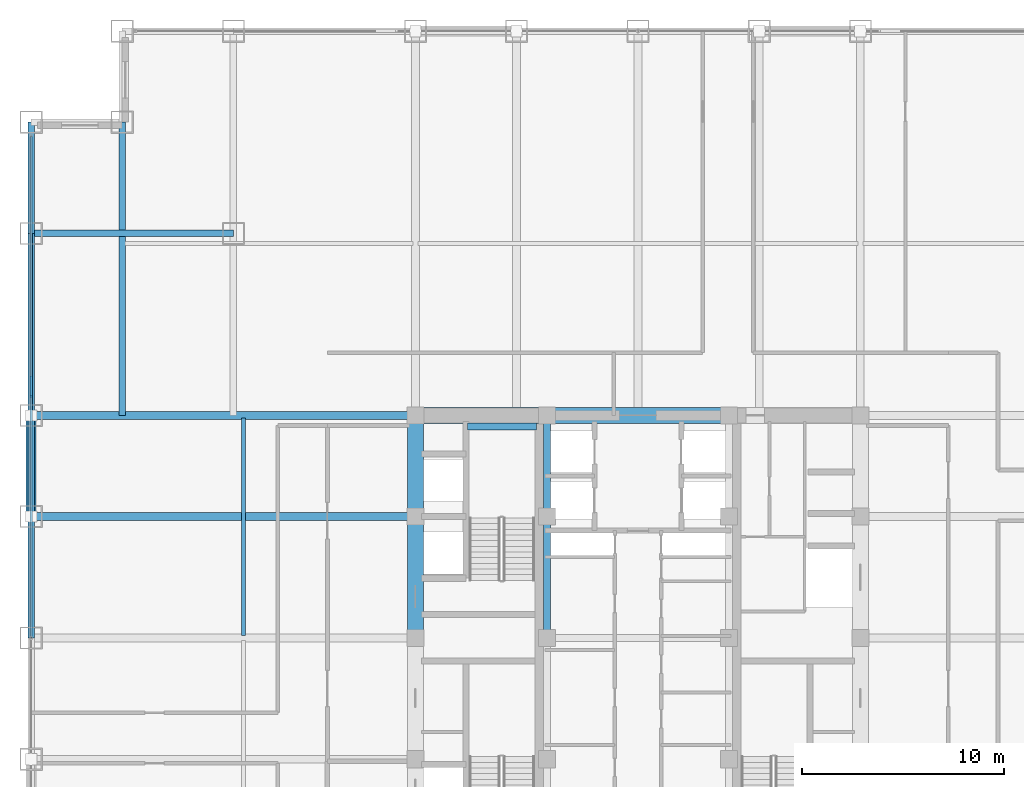
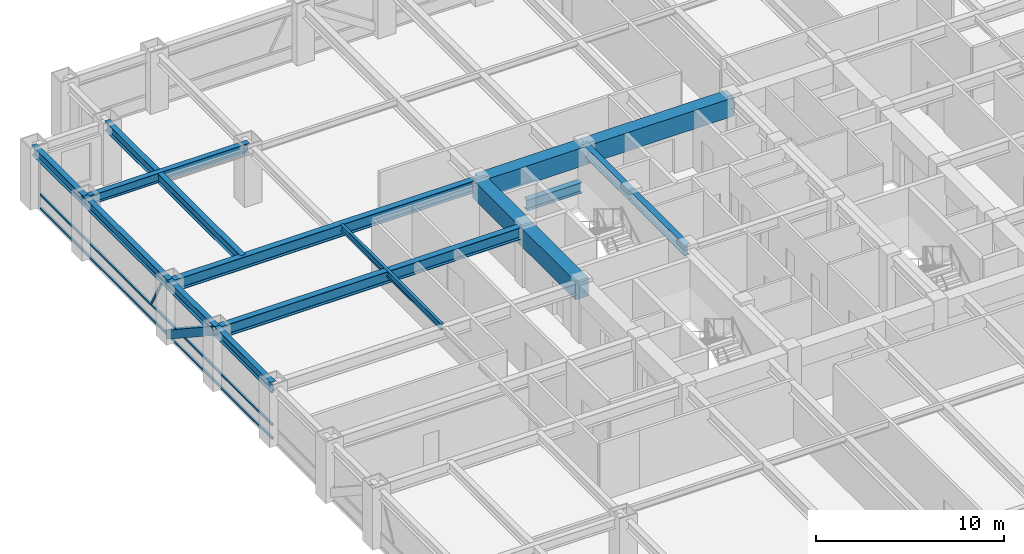
# One storey, part 11 of 24: 16 beams, 5 members, 1 element without a shape of its own.
"""IFC4 building model written with IfcOpenShell, lengths in metres."""

from ifc_helpers import new_model, si_unit, direction, frame, origin, origin_2d, place, context, subcontext, project, spatial, rectangle, hollow_rectangle, i_section, extrude, source, transform, mapped, material, material_profile, profile_set, type_object, element, aggregate, save


model = new_model("IFC4")

# Units and contexts
model_context = context("Model", 3, precision=1e-05, world=origin(), true_north=direction((0.0, 1.0)))
body_context = subcontext(model_context, "Body", "Model", "MODEL_VIEW")
ifc_project = project(units=[si_unit("LENGTHUNIT", "METRE"), si_unit("AREAUNIT", "SQUARE_METRE"), si_unit("VOLUMEUNIT", "CUBIC_METRE"), si_unit("PLANEANGLEUNIT", "RADIAN"), si_unit("MASSUNIT", "GRAM", prefix="KILO")], contexts=[model_context])

# Site, building, storey
site_placement = place(None, origin())
site = spatial("IfcSite", under=ifc_project, at=site_placement, CompositionType="ELEMENT")
building_placement = place(site_placement, origin())
building = spatial("IfcBuilding", under=site, at=building_placement, Name="Khorayat Bourse Tower", CompositionType="ELEMENT")
storey_placement = place(building_placement, frame((0.0, 0.0, 163.10009765625)))
storey = spatial("IfcBuildingStorey", under=building, at=storey_placement, Name="L37", CompositionType="ELEMENT", Elevation=163.10009765625)

# Beams
ifc_material_1 = material(Name="Concrete C72/90", Category="concrete")
ifc_material_profile_1 = material_profile(ifc_material_1, rectangle(XDim=0.800048828125, YDim=1.199951171875, at=origin_2d()), Name="RC 800x1200")
ifc_profile_set_1 = profile_set([ifc_material_profile_1], Name="Concrete C72/90")
beam_type_1 = type_object("IfcBeamType", Name="BM-COUP-1200", PredefinedType="BEAM", material=ifc_profile_set_1)
shared_shape_1 = source(origin(), body_context, "Body", "SweptSolid", [
    extrude(rectangle(XDim=0.800048828125, YDim=1.199951171875, at=origin_2d()), origin(), (0.0, 0.0, 1.0), 5.0),
])
beam_1_placement = place(storey_placement, frame((-11.0, 6.0, 3.179931640625), z_axis=(0.0, 1.0, 0.0), x_axis=(-1.0, 0.0, 0.0)))
element("IfcBeam", 1, at=beam_1_placement, inside=storey, type_object=beam_type_1, Name="L37 BM-COUP-1200 BM-L37-CRX-04", PredefinedType="BEAM", context=body_context, shape_type="MappedRepresentation", body=[
    mapped(shared_shape_1, transform((0.0, 0.0, 0.0), scale=1.0)),
])
shared_shape_2 = source(origin(), body_context, "Body", "SweptSolid", [
    extrude(rectangle(XDim=0.800048828125, YDim=1.199951171875, at=origin_2d()), origin(), (0.0, 0.0, 1.0), 6.0),
])
beam_2_placement = place(storey_placement, frame((-11.0, 0.0, 3.179931640625), z_axis=(0.0, 1.0, 0.0), x_axis=(-1.0, 0.0, 0.0)))
element("IfcBeam", 2, at=beam_2_placement, inside=storey, type_object=beam_type_1, Name="L37 BM-COUP-1200 BM-L37-CRX-03", PredefinedType="BEAM", context=body_context, shape_type="MappedRepresentation", body=[
    mapped(shared_shape_2, transform((0.0, 0.0, 0.0), scale=1.0)),
])
ifc_material_2 = material(Name="Steel ASTM A992 Grade 50", Category="steel")
ifc_material_profile_2 = material_profile(ifc_material_2, i_section(OverallWidth=0.35498046875, OverallDepth=0.695068359375, WebThickness=0.015380859375, FlangeThickness=0.02490234375, FilletRadius=0.01806640625, at=origin_2d()), Name="W690X217")
ifc_profile_set_2 = profile_set([ifc_material_profile_2], Name="Steel ASTM A992 Grade 50")
beam_type_2 = type_object("IfcBeamType", Name="BM-GIRD-690", PredefinedType="BEAM", material=ifc_profile_set_2)
shared_shape_3 = source(origin(), body_context, "Body", "SweptSolid", [
    extrude(i_section(OverallWidth=0.35498046875, OverallDepth=0.695068359375, WebThickness=0.015380859375, FlangeThickness=0.02490234375, FilletRadius=0.01806640625, at=origin_2d()), origin(), (0.0, 0.0, 1.0), 5.0),
])
beam_3_placement = place(storey_placement, frame((-4.5, 6.0, 3.432373046875), z_axis=(0.0, 1.0, 0.0), x_axis=(-1.0, 0.0, 0.0)))
element("IfcBeam", 3, at=beam_3_placement, inside=storey, type_object=beam_type_2, Name="L37 BM-GIRD-690 BM-L37-CRX-08", PredefinedType="BEAM", context=body_context, shape_type="MappedRepresentation", body=[
    mapped(shared_shape_3, transform((0.0, 0.0, 0.0), scale=1.0)),
])
shared_shape_4 = source(origin(), body_context, "Body", "SweptSolid", [
    extrude(i_section(OverallWidth=0.35498046875, OverallDepth=0.695068359375, WebThickness=0.015380859375, FlangeThickness=0.02490234375, FilletRadius=0.01806640625, at=origin_2d()), origin(), (0.0, 0.0, 1.0), 6.0),
])
beam_4_placement = place(storey_placement, frame((-4.5, 0.0, 3.432373046875), z_axis=(0.0, 1.0, 0.0), x_axis=(-1.0, 0.0, 0.0)))
element("IfcBeam", 4, at=beam_4_placement, inside=storey, type_object=beam_type_2, Name="L37 BM-GIRD-690 BM-L37-CRX-07", PredefinedType="BEAM", context=body_context, shape_type="MappedRepresentation", body=[
    mapped(shared_shape_4, transform((0.0, 0.0, 0.0), scale=1.0)),
])
shared_shape_5 = source(origin(), body_context, "Body", "SweptSolid", [
    extrude(rectangle(XDim=0.800048828125, YDim=1.199951171875, at=origin_2d()), origin(), (0.0, 0.0, 1.0), 6.5),
])
beam_5_placement = place(storey_placement, frame((-11.0, 11.0, 3.179931640625), z_axis=(1.0, 0.0, 0.0), x_axis=(0.0, 1.0, 0.0)))
element("IfcBeam", 5, at=beam_5_placement, inside=storey, type_object=beam_type_1, Name="L37 BM-COUP-1200 BM-L37-CRY-20", PredefinedType="BEAM", context=body_context, shape_type="MappedRepresentation", body=[
    mapped(shared_shape_5, transform((0.0, 0.0, 0.0), scale=1.0)),
])
shared_shape_6 = source(origin(), body_context, "Body", "SweptSolid", [
    extrude(rectangle(XDim=0.800048828125, YDim=1.199951171875, at=origin_2d()), origin(), (0.0, 0.0, 1.0), 9.0),
])
beam_6_placement = place(storey_placement, frame((-4.5, 11.0, 3.179931640625), z_axis=(1.0, 0.0, 0.0), x_axis=(0.0, 1.0, 0.0)))
element("IfcBeam", 6, at=beam_6_placement, inside=storey, type_object=beam_type_1, Name="L37 BM-COUP-1200 BM-L37-CRY-21", PredefinedType="BEAM", context=body_context, shape_type="MappedRepresentation", body=[
    mapped(shared_shape_6, transform((0.0, 0.0, 0.0), scale=1.0)),
])
shared_shape_7 = source(origin(), body_context, "Body", "SweptSolid", [
    extrude(i_section(OverallWidth=0.35498046875, OverallDepth=0.695068359375, WebThickness=0.015380859375, FlangeThickness=0.02490234375, FilletRadius=0.01806640625, at=origin_2d()), origin(), (0.0, 0.0, 1.0), 3.39990234375),
])
beam_7_placement = place(storey_placement, frame((-8.419921875, 10.449951171875, 1.452392578125), z_axis=(1.0, 0.0, 0.0), x_axis=(0.0, 1.0, 0.0)))
element("IfcBeam", 7, at=beam_7_placement, inside=storey, type_object=beam_type_2, Name="L37 BM-GIRD-690 BM-L37-ST2L", PredefinedType="BEAM", context=body_context, shape_type="MappedRepresentation", body=[
    mapped(shared_shape_7, transform((0.0, 0.0, 0.0), scale=1.0)),
])
ifc_material_profile_3 = material_profile(ifc_material_2, i_section(OverallWidth=0.381103515625, OverallDepth=0.77294921875, WebThickness=0.0166015625, FlangeThickness=0.027587890625, FilletRadius=0.01806640625, at=origin_2d()), Name="W760X257")
ifc_profile_set_3 = profile_set([ifc_material_profile_3], Name="Steel ASTM A992 Grade 50")
beam_type_3 = type_object("IfcBeamType", Name="BM-GIRD-760", PredefinedType="BEAM", material=ifc_profile_set_3)
shared_shape_8 = source(origin(), body_context, "Body", "SweptSolid", [
    extrude(i_section(OverallWidth=0.381103515625, OverallDepth=0.77294921875, WebThickness=0.0166015625, FlangeThickness=0.027587890625, FilletRadius=0.01806640625, at=origin_2d()), origin(), (0.0, 0.0, 1.0), 19.0),
])
for number, where, z_axis, x_axis, name in (
    (8, (-30.0, 6.0, 3.393310546875), (1.0, 0.0, 0.0), (0.0, 1.0, 0.0), "L37 BM-GIRD-760 BM-L37-RADX-081"),
    (9, (-30.0, 11.0, 3.393310546875), (1.0, 0.0, 0.0), (0.0, 1.0, 0.0), "L37 BM-GIRD-760 BM-L37-RADX-083"),
):
    element("IfcBeam", number, at=place(storey_placement, frame(where, z_axis=z_axis, x_axis=x_axis)), inside=storey, type_object=beam_type_3, Name=name, PredefinedType="BEAM", context=body_context, shape_type="MappedRepresentation", body=[
        mapped(shared_shape_8, transform((0.0, 0.0, 0.0), scale=1.0)),
    ])
ifc_material_profile_4 = material_profile(ifc_material_2, i_section(OverallWidth=0.324951171875, OverallDepth=0.615966796875, WebThickness=0.013916015625, FlangeThickness=0.021484375, FilletRadius=0.01611328125, at=origin_2d()), Name="W610X174")
ifc_profile_set_4 = profile_set([ifc_material_profile_4], Name="Steel ASTM A992 Grade 50")
beam_type_4 = type_object("IfcBeamType", Name="BM-GIRD-610", PredefinedType="BEAM", material=ifc_profile_set_4)
shared_shape_9 = source(origin(), body_context, "Body", "SweptSolid", [
    extrude(i_section(OverallWidth=0.324951171875, OverallDepth=0.615966796875, WebThickness=0.013916015625, FlangeThickness=0.021484375, FilletRadius=0.01611328125, at=origin_2d()), origin(), (0.0, 0.0, 1.0), 14.5),
])
beam_8_placement = place(storey_placement, frame((-25.5, 11.0, 3.471923828125), z_axis=(0.0, 1.0, 0.0), x_axis=(-1.0, 0.0, 0.0)))
element("IfcBeam", 10, at=beam_8_placement, inside=storey, type_object=beam_type_4, Name="L37 BM-GIRD-610 BM-L37-CNRY-089", PredefinedType="BEAM", context=body_context, shape_type="MappedRepresentation", body=[
    mapped(shared_shape_9, transform((0.0, 0.0, 0.0), scale=1.0)),
])
shared_shape_10 = source(origin(), body_context, "Body", "SweptSolid", [
    extrude(i_section(OverallWidth=0.324951171875, OverallDepth=0.615966796875, WebThickness=0.013916015625, FlangeThickness=0.021484375, FilletRadius=0.01611328125, at=origin_2d()), origin(), (0.0, 0.0, 1.0), 10.0),
])
beam_9_placement = place(storey_placement, frame((-30.0, 20.0, 3.471923828125), z_axis=(1.0, 0.0, 0.0), x_axis=(0.0, 1.0, 0.0)))
element("IfcBeam", 11, at=beam_9_placement, inside=storey, type_object=beam_type_4, Name="L37 BM-GIRD-610 BM-L37-CNRX-095", PredefinedType="BEAM", context=body_context, shape_type="MappedRepresentation", body=[
    mapped(shared_shape_10, transform((0.0, 0.0, 0.0), scale=1.0)),
])
ifc_material_profile_5 = material_profile(ifc_material_2, i_section(OverallWidth=0.180908203125, OverallDepth=0.4169921875, WebThickness=0.010986328125, FlangeThickness=0.018310546875, FilletRadius=0.011962890625, at=origin_2d()), Name="W410X85")
ifc_profile_set_5 = profile_set([ifc_material_profile_5], Name="Steel ASTM A992 Grade 50")
beam_type_5 = type_object("IfcBeamType", Name="BM-JOIST-410", PredefinedType="JOIST", material=ifc_profile_set_5)
shared_shape_11 = source(origin(), body_context, "Body", "SweptSolid", [
    extrude(i_section(OverallWidth=0.180908203125, OverallDepth=0.4169921875, WebThickness=0.010986328125, FlangeThickness=0.018310546875, FilletRadius=0.011962890625, at=origin_2d()), origin(), (0.0, 0.0, 1.0), 10.740234375),
])
beam_10_placement = place(storey_placement, frame((-19.5, 0.1298828125, 3.5712890625), z_axis=(0.0, 1.0, 0.0), x_axis=(-1.0, 0.0, 0.0)))
element("IfcBeam", 12, at=beam_10_placement, inside=storey, type_object=beam_type_5, Name="L37 BM-JOIST-410 BM-L37-JSTY-103", PredefinedType="JOIST", context=body_context, shape_type="MappedRepresentation", body=[
    mapped(shared_shape_11, transform((0.0, 0.0, 0.0), scale=1.0)),
])
ifc_material_profile_6 = material_profile(ifc_material_2, i_section(OverallWidth=0.324951171875, OverallDepth=0.615966796875, WebThickness=0.013916015625, FlangeThickness=0.021484375, FilletRadius=0.01611328125, at=origin_2d()), Name="W610X174")
ifc_profile_set_6 = profile_set([ifc_material_profile_6], Name="Steel ASTM A992 Grade 50")
beam_type_6 = type_object("IfcBeamType", Name="BM-SPAN-610", PredefinedType="SPANDREL", material=ifc_profile_set_6)
shared_shape_12 = source(origin(), body_context, "Body", "SweptSolid", [
    extrude(i_section(OverallWidth=0.324951171875, OverallDepth=0.615966796875, WebThickness=0.013916015625, FlangeThickness=0.021484375, FilletRadius=0.01611328125, at=origin_2d()), origin(), (0.0, 0.0, 1.0), 5.5),
])
beam_11_placement = place(storey_placement, frame((-30.0, 20.0, 3.471923828125), z_axis=(0.0, 1.0, 0.0), x_axis=(-1.0, 0.0, 0.0)))
element("IfcBeam", 13, at=beam_11_placement, inside=storey, type_object=beam_type_6, Name="L37 BM-SPAN-610 BM-L37-SPN-054", PredefinedType="SPANDREL", context=body_context, shape_type="MappedRepresentation", body=[
    mapped(shared_shape_12, transform((0.0, 0.0, 0.0), scale=1.0)),
])
shared_shape_13 = source(origin(), body_context, "Body", "SweptSolid", [
    extrude(i_section(OverallWidth=0.324951171875, OverallDepth=0.615966796875, WebThickness=0.013916015625, FlangeThickness=0.021484375, FilletRadius=0.01611328125, at=origin_2d()), origin(), (0.0, 0.0, 1.0), 9.0),
])
beam_12_placement = place(storey_placement, frame((-30.0, 11.0, 3.471923828125), z_axis=(0.0, 1.0, 0.0), x_axis=(-1.0, 0.0, 0.0)))
element("IfcBeam", 14, at=beam_12_placement, inside=storey, type_object=beam_type_6, Name="L37 BM-SPAN-610 BM-L37-SPN-055", PredefinedType="SPANDREL", context=body_context, shape_type="MappedRepresentation", body=[
    mapped(shared_shape_13, transform((0.0, 0.0, 0.0), scale=1.0)),
])
shared_shape_14 = source(origin(), body_context, "Body", "SweptSolid", [
    extrude(i_section(OverallWidth=0.324951171875, OverallDepth=0.615966796875, WebThickness=0.013916015625, FlangeThickness=0.021484375, FilletRadius=0.01611328125, at=origin_2d()), origin(), (0.0, 0.0, 1.0), 5.0),
])
beam_13_placement = place(storey_placement, frame((-30.0, 6.0, 3.471923828125), z_axis=(0.0, 1.0, 0.0), x_axis=(-1.0, 0.0, 0.0)))
element("IfcBeam", 15, at=beam_13_placement, inside=storey, type_object=beam_type_6, Name="L37 BM-SPAN-610 BM-L37-SPN-056", PredefinedType="SPANDREL", context=body_context, shape_type="MappedRepresentation", body=[
    mapped(shared_shape_14, transform((0.0, 0.0, 0.0), scale=1.0)),
])
shared_shape_15 = source(origin(), body_context, "Body", "SweptSolid", [
    extrude(i_section(OverallWidth=0.324951171875, OverallDepth=0.615966796875, WebThickness=0.013916015625, FlangeThickness=0.021484375, FilletRadius=0.01611328125, at=origin_2d()), origin(), (0.0, 0.0, 1.0), 6.0),
])
beam_14_placement = place(storey_placement, frame((-30.0, 0.0, 3.471923828125), z_axis=(0.0, 1.0, 0.0), x_axis=(-1.0, 0.0, 0.0)))
element("IfcBeam", 16, at=beam_14_placement, inside=storey, type_object=beam_type_6, Name="L37 BM-SPAN-610 BM-L37-SPN-057", PredefinedType="SPANDREL", context=body_context, shape_type="MappedRepresentation", body=[
    mapped(shared_shape_15, transform((0.0, 0.0, 0.0), scale=1.0)),
])

# Member
ifc_material_3 = material(Name="Steel EN 10025-4 S460M", Category="steel")
ifc_material_profile_7 = material_profile(ifc_material_3, hollow_rectangle(XDim=0.5, YDim=0.5, WallThickness=0.028076171875, at=origin_2d()), Name="HSS 500x500x28")
ifc_profile_set_7 = profile_set([ifc_material_profile_7], Name="Steel EN 10025-4 S460M")
member_type_1 = type_object("IfcMemberType", Name="MBR-TUBE-500", PredefinedType="BRACE", material=ifc_profile_set_7)
shared_shape_16 = source(origin(), body_context, "Body", "SweptSolid", [
    extrude(hollow_rectangle(XDim=0.5, YDim=0.5, WallThickness=0.028076171875, at=origin_2d()), origin(), (0.0, 0.0, 1.0), 5.979736328125),
])
member_1_placement = place(storey_placement, frame((-30.0, 6.0, 3.52978515625), z_axis=(0.0, 0.836160261256, -0.548485202623), x_axis=(-1.0, 0.0, 0.0)))
element("IfcMember", 17, at=member_1_placement, inside=storey, type_object=member_type_1, Name="L37 Perimeter Tube Brace 06", PredefinedType="BRACE", context=body_context, shape_type="MappedRepresentation", body=[
    mapped(shared_shape_16, transform((0.0, 0.0, 0.0), scale=1.0)),
])

# Curtain wall, members
ifc_material_4 = material(Name="Aluminium EN AW-6063 T6", Category="aluminium")
curtain_wall_type = type_object("IfcCurtainWallType", Name="CW-SYS-03", PredefinedType="NOTDEFINED", material=ifc_material_4)
curtain_wall_placement = place(storey_placement, origin())
curtain_wall = element("IfcCurtainWall", 18, at=curtain_wall_placement, inside=storey, type_object=curtain_wall_type, Name="L37 Curtain Wall CW-L37-W1", PredefinedType="NOTDEFINED")
ifc_material_profile_8 = material_profile(ifc_material_4, hollow_rectangle(XDim=0.1201171875, YDim=0.1201171875, WallThickness=0.0048828125, at=origin_2d()), Name="ALU 120x120x5")
ifc_profile_set_8 = profile_set([ifc_material_profile_8], Name="Aluminium EN AW-6063 T6")
member_type_2 = type_object("IfcMemberType", Name="CWM-DIAG-120", PredefinedType="MULLION", material=ifc_profile_set_8)
shared_shape_17 = source(origin(), body_context, "Body", "SweptSolid", [
    extrude(hollow_rectangle(XDim=0.1201171875, YDim=0.1201171875, WallThickness=0.0048828125, at=origin_2d()), origin(), (0.0, 0.0, 1.0), 2.079345703125),
])
member_2_placement = place(storey_placement, frame((-30.0, 12.904296875, 1.08984375), z_axis=(0.0, -0.465760949701, 0.884910581773), x_axis=(1.0, 0.0, 0.0)))
member_2 = element("IfcMember", 19, at=member_2_placement, type_object=member_type_2, Name="CW-L37-W1 Faceted Diagonal Mullion 2", PredefinedType="MULLION", context=body_context, shape_type="MappedRepresentation", body=[
    mapped(shared_shape_17, transform((0.0, 0.0, 0.0), scale=1.0)),
])
ifc_material_profile_9 = material_profile(ifc_material_4, hollow_rectangle(XDim=0.1201171875, YDim=0.1201171875, WallThickness=0.0048828125, at=origin_2d()), Name="ALU 120x120x5")
ifc_profile_set_9 = profile_set([ifc_material_profile_9], Name="Aluminium EN AW-6063 T6")
member_type_3 = type_object("IfcMemberType", Name="CWT-HORZ-120", PredefinedType="USERDEFINED", material=ifc_profile_set_9)
shared_shape_18 = source(origin(), body_context, "Body", "SweptSolid", [
    extrude(hollow_rectangle(XDim=0.1201171875, YDim=0.1201171875, WallThickness=0.0048828125, at=origin_2d()), origin(), (0.0, 0.0, 1.0), 24.719970703125),
])
member_3_placement = place(storey_placement, frame((-30.0, 0.06005859375, 0.059814453125), z_axis=(0.0, 1.0, 0.0), x_axis=(-1.0, 0.0, 0.0)))
member_3 = element("IfcMember", 20, at=member_3_placement, type_object=member_type_3, Name="CW-L37-W1 Horizontal Transom 2-1", ObjectType="TRANSOM", PredefinedType="USERDEFINED", context=body_context, shape_type="MappedRepresentation", body=[
    mapped(shared_shape_18, transform((0.0, 0.0, 0.0), scale=1.0)),
])
member_4_placement = place(storey_placement, frame((-30.0, 0.06005859375, 0.949951171875), z_axis=(0.0, 1.0, 0.0), x_axis=(-1.0, 0.0, 0.0)))
member_4 = element("IfcMember", 21, at=member_4_placement, type_object=member_type_3, Name="CW-L37-W1 Horizontal Transom 2-2", ObjectType="TRANSOM", PredefinedType="USERDEFINED", context=body_context, shape_type="MappedRepresentation", body=[
    mapped(shared_shape_18, transform((0.0, 0.0, 0.0), scale=1.0)),
])
member_5_placement = place(storey_placement, frame((-30.0, 0.06005859375, 3.06982421875), z_axis=(0.0, 1.0, 0.0), x_axis=(-1.0, 0.0, 0.0)))
member_5 = element("IfcMember", 22, at=member_5_placement, type_object=member_type_3, Name="CW-L37-W1 Horizontal Transom 2-3", ObjectType="TRANSOM", PredefinedType="USERDEFINED", context=body_context, shape_type="MappedRepresentation", body=[
    mapped(shared_shape_18, transform((0.0, 0.0, 0.0), scale=1.0)),
])
aggregate(curtain_wall, [member_3, member_4, member_5, member_2])

save(model, "model.ifc")
